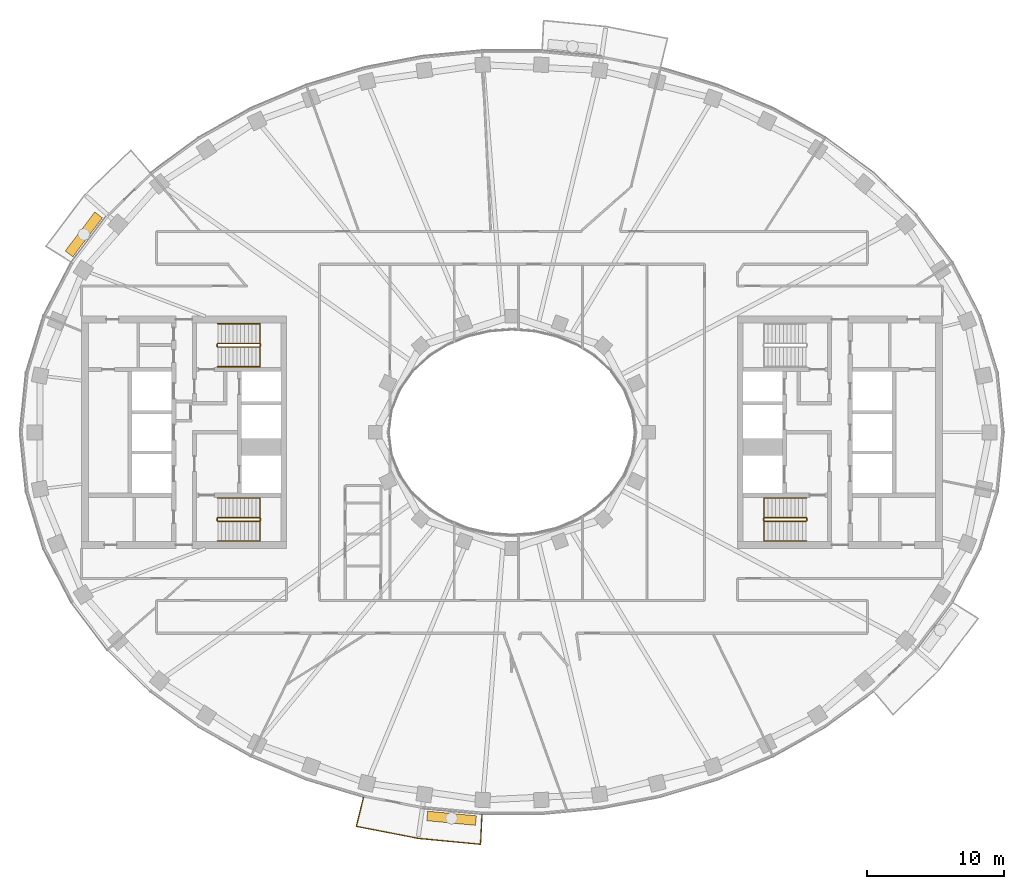
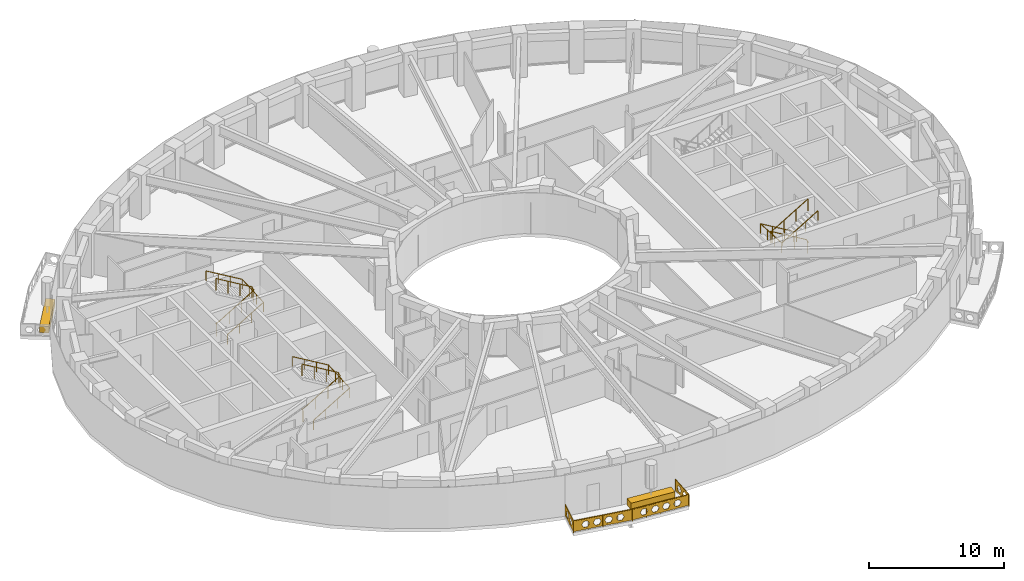
# One storey, part 14 of 16: 7 railings, 2 coverings.
"""IFC4 building model written with IfcOpenShell, lengths in metres."""

from ifc_helpers import new_model, si_unit, direction, frame, origin, origin_2d, place, context, subcontext, project, spatial, polyline, rectangle, outline, extrude, material, type_object, element, save


model = new_model("IFC4")

# Units and contexts
model_context = context("Model", 3, precision=1e-05, world=origin(), true_north=direction((0.0, 1.0)))
body_context = subcontext(model_context, "Body", "Model", "MODEL_VIEW")
ifc_project = project(units=[si_unit("LENGTHUNIT", "METRE"), si_unit("AREAUNIT", "SQUARE_METRE"), si_unit("VOLUMEUNIT", "CUBIC_METRE"), si_unit("PLANEANGLEUNIT", "RADIAN"), si_unit("MASSUNIT", "GRAM", prefix="KILO")], contexts=[model_context])

# Site, building, storey
site_placement = place(None, origin())
site = spatial("IfcSite", under=ifc_project, at=site_placement, CompositionType="ELEMENT")
building_placement = place(site_placement, origin())
building = spatial("IfcBuilding", under=site, at=building_placement, Name="Noorbagh Ring Tower", CompositionType="ELEMENT")
storey_placement = place(building_placement, frame((0.0, 0.0, 249.5)))
storey = spatial("IfcBuildingStorey", under=building, at=storey_placement, Name="L52", CompositionType="ELEMENT", Elevation=249.5)

# Railings
ifc_material_1 = material(Name="Stainless steel", Category="steel")
railing_type_1 = type_object("IfcRailingType", Name="CORE-STAIR-GUARD", PredefinedType="GUARDRAIL", material=ifc_material_1)
railing_1_placement = place(storey_placement, frame((-21.580078125, 6.300048828125, 0.0)))
element("IfcRailing", 1, at=railing_1_placement, inside=storey, type_object=railing_type_1, Name="L52 ST1 stair guard", PredefinedType="GUARDRAIL", context=body_context, shape_type="SweptSolid", body=[
    extrude(rectangle(XDim=0.048095703125, YDim=0.048095703125, at=origin_2d()), frame((0.0, 0.0, 1.076171875), z_axis=(0.0, 1.0, 0.0), x_axis=(-1.0, 0.0, 0.0)), (0.0, 0.0, 1.0), 0.14990234375),
    extrude(rectangle(XDim=0.048095703125, YDim=0.048095703125, at=origin_2d()), frame((0.0, 0.14990234375, 1.076171875), z_axis=(0.188775798145, -0.754182335027, 0.628945707965), x_axis=(0.970072785993, 0.242814311512, 0.0)), (0.0, 0.0, 1.0), 0.26513671875),
    extrude(rectangle(XDim=0.048095703125, YDim=0.048095703125, at=origin_2d()), frame((0.050048828125, -0.050048828125, 1.24267578125), z_axis=(0.859308565015, 0.0, 0.511457515432), x_axis=(0.0, 1.0, 0.0)), (0.0, 0.0, 1.0), 3.58447265625),
    extrude(rectangle(XDim=0.048095703125, YDim=0.048095703125, at=origin_2d()), frame((3.130126953125, -0.050048828125, 3.076171875), z_axis=(0.707106781187, 0.707106781187, 0.0), x_axis=(-0.707106781187, 0.707106781187, 0.0)), (0.0, 0.0, 1.0), 0.07080078125),
    extrude(rectangle(XDim=0.048095703125, YDim=0.048095703125, at=origin_2d()), frame((3.18017578125, 0.0, 3.076171875), z_axis=(0.0, 1.0, 0.0), x_axis=(-1.0, 0.0, 0.0)), (0.0, 0.0, 1.0), 0.14990234375),
    extrude(rectangle(XDim=0.048095703125, YDim=0.048095703125, at=origin_2d()), frame((3.18017578125, 0.14990234375, 3.076171875), z_axis=(-0.27628659633, 0.27628659633, 0.920506074601), x_axis=(-0.707106781187, -0.707106781187, 0.0)), (0.0, 0.0, 1.0), 0.18115234375),
    extrude(rectangle(XDim=0.048095703125, YDim=0.048095703125, at=origin_2d()), frame((3.130126953125, 0.199951171875, 3.24267578125), z_axis=(-0.859308565015, 0.0, 0.511457515432), x_axis=(0.0, -1.0, 0.0)), (0.0, 0.0, 1.0), 3.58447265625),
    extrude(rectangle(XDim=0.0419921875, YDim=0.0419921875, at=origin_2d()), origin(), (0.0, 0.0, 1.0), 1.052001953125),
    extrude(rectangle(XDim=0.0419921875, YDim=0.0419921875, at=origin_2d()), frame((1.07666015625, -0.050048828125, 0.77783203125)), (0.0, 0.0, 1.0), 1.052001953125),
    extrude(rectangle(XDim=0.0419921875, YDim=0.0419921875, at=origin_2d()), frame((2.103515625, -0.050048828125, 1.388916015625)), (0.0, 0.0, 1.0), 1.052001953125),
    extrude(rectangle(XDim=0.0419921875, YDim=0.0419921875, at=origin_2d()), frame((3.130126953125, -0.050048828125, 2.0)), (0.0, 0.0, 1.0), 1.052001953125),
    extrude(rectangle(XDim=0.0419921875, YDim=0.0419921875, at=origin_2d()), frame((3.130126953125, 0.199951171875, 2.166748046875)), (0.0, 0.0, 1.0), 1.052001953125),
    extrude(rectangle(XDim=0.0419921875, YDim=0.0419921875, at=origin_2d()), frame((2.103515625, 0.199951171875, 2.77783203125)), (0.0, 0.0, 1.0), 1.052001953125),
    extrude(rectangle(XDim=0.0419921875, YDim=0.0419921875, at=origin_2d()), frame((1.07666015625, 0.199951171875, 3.388916015625)), (0.0, 0.0, 1.0), 1.052001953125),
    extrude(rectangle(XDim=0.0419921875, YDim=0.0419921875, at=origin_2d()), frame((0.050048828125, 0.199951171875, 4.0)), (0.0, 0.0, 1.0), 1.052001953125),
])
railing_2_placement = place(storey_placement, frame((-21.580078125, -6.449951171875, 0.0)))
element("IfcRailing", 2, at=railing_2_placement, inside=storey, type_object=railing_type_1, Name="L52 ST2 stair guard", PredefinedType="GUARDRAIL", context=body_context, shape_type="SweptSolid", body=[
    extrude(rectangle(XDim=0.048095703125, YDim=0.048095703125, at=origin_2d()), frame((0.0, 0.0, 1.076171875), z_axis=(0.0, 1.0, 0.0), x_axis=(-1.0, 0.0, 0.0)), (0.0, 0.0, 1.0), 0.14990234375),
    extrude(rectangle(XDim=0.048095703125, YDim=0.048095703125, at=origin_2d()), frame((0.0, 0.14990234375, 1.076171875), z_axis=(0.188775798145, -0.754182335027, 0.628945707965), x_axis=(0.970072785993, 0.242814311512, 0.0)), (0.0, 0.0, 1.0), 0.26513671875),
    extrude(rectangle(XDim=0.048095703125, YDim=0.048095703125, at=origin_2d()), frame((0.050048828125, -0.050048828125, 1.24267578125), z_axis=(0.859308565015, 0.0, 0.511457515432), x_axis=(0.0, 1.0, 0.0)), (0.0, 0.0, 1.0), 3.58447265625),
    extrude(rectangle(XDim=0.048095703125, YDim=0.048095703125, at=origin_2d()), frame((3.130126953125, -0.050048828125, 3.076171875), z_axis=(0.707106781187, 0.707106781187, 0.0), x_axis=(-0.707106781187, 0.707106781187, 0.0)), (0.0, 0.0, 1.0), 0.07080078125),
    extrude(rectangle(XDim=0.048095703125, YDim=0.048095703125, at=origin_2d()), frame((3.18017578125, 0.0, 3.076171875), z_axis=(0.0, 1.0, 0.0), x_axis=(-1.0, 0.0, 0.0)), (0.0, 0.0, 1.0), 0.14990234375),
    extrude(rectangle(XDim=0.048095703125, YDim=0.048095703125, at=origin_2d()), frame((3.18017578125, 0.14990234375, 3.076171875), z_axis=(-0.27628659633, 0.27628659633, 0.920506074601), x_axis=(-0.707106781187, -0.707106781187, 0.0)), (0.0, 0.0, 1.0), 0.18115234375),
    extrude(rectangle(XDim=0.048095703125, YDim=0.048095703125, at=origin_2d()), frame((3.130126953125, 0.199951171875, 3.24267578125), z_axis=(-0.859308565015, 0.0, 0.511457515432), x_axis=(0.0, -1.0, 0.0)), (0.0, 0.0, 1.0), 3.58447265625),
    extrude(rectangle(XDim=0.0419921875, YDim=0.0419921875, at=origin_2d()), origin(), (0.0, 0.0, 1.0), 1.052001953125),
    extrude(rectangle(XDim=0.0419921875, YDim=0.0419921875, at=origin_2d()), frame((1.07666015625, -0.050048828125, 0.77783203125)), (0.0, 0.0, 1.0), 1.052001953125),
    extrude(rectangle(XDim=0.0419921875, YDim=0.0419921875, at=origin_2d()), frame((2.103515625, -0.050048828125, 1.388916015625)), (0.0, 0.0, 1.0), 1.052001953125),
    extrude(rectangle(XDim=0.0419921875, YDim=0.0419921875, at=origin_2d()), frame((3.130126953125, -0.050048828125, 2.0)), (0.0, 0.0, 1.0), 1.052001953125),
    extrude(rectangle(XDim=0.0419921875, YDim=0.0419921875, at=origin_2d()), frame((3.130126953125, 0.199951171875, 2.166748046875)), (0.0, 0.0, 1.0), 1.052001953125),
    extrude(rectangle(XDim=0.0419921875, YDim=0.0419921875, at=origin_2d()), frame((2.103515625, 0.199951171875, 2.77783203125)), (0.0, 0.0, 1.0), 1.052001953125),
    extrude(rectangle(XDim=0.0419921875, YDim=0.0419921875, at=origin_2d()), frame((1.07666015625, 0.199951171875, 3.388916015625)), (0.0, 0.0, 1.0), 1.052001953125),
    extrude(rectangle(XDim=0.0419921875, YDim=0.0419921875, at=origin_2d()), frame((0.050048828125, 0.199951171875, 4.0)), (0.0, 0.0, 1.0), 1.052001953125),
])
railing_3_placement = place(storey_placement, frame((21.580078125, -6.300048828125, 0.0)))
element("IfcRailing", 3, at=railing_3_placement, inside=storey, type_object=railing_type_1, Name="L52 ST4 stair guard", PredefinedType="GUARDRAIL", context=body_context, shape_type="SweptSolid", body=[
    extrude(rectangle(XDim=0.048095703125, YDim=0.048095703125, at=origin_2d()), frame((0.0, 0.0, 1.076171875), z_axis=(0.0, -1.0, 0.0), x_axis=(1.0, 0.0, 0.0)), (0.0, 0.0, 1.0), 0.14990234375),
    extrude(rectangle(XDim=0.048095703125, YDim=0.048095703125, at=origin_2d()), frame((0.0, -0.14990234375, 1.076171875), z_axis=(-0.188775798145, 0.754182335027, 0.628945707965), x_axis=(-0.970072785993, -0.242814311512, 0.0)), (0.0, 0.0, 1.0), 0.26513671875),
    extrude(rectangle(XDim=0.048095703125, YDim=0.048095703125, at=origin_2d()), frame((-0.050048828125, 0.050048828125, 1.24267578125), z_axis=(-0.859308565015, 0.0, 0.511457515432), x_axis=(0.0, -1.0, 0.0)), (0.0, 0.0, 1.0), 3.58447265625),
    extrude(rectangle(XDim=0.048095703125, YDim=0.048095703125, at=origin_2d()), frame((-3.130126953125, 0.050048828125, 3.076171875), z_axis=(-0.707106781187, -0.707106781187, 0.0), x_axis=(0.707106781187, -0.707106781187, 0.0)), (0.0, 0.0, 1.0), 0.07080078125),
    extrude(rectangle(XDim=0.048095703125, YDim=0.048095703125, at=origin_2d()), frame((-3.18017578125, 0.0, 3.076171875), z_axis=(0.0, -1.0, 0.0), x_axis=(1.0, 0.0, 0.0)), (0.0, 0.0, 1.0), 0.14990234375),
    extrude(rectangle(XDim=0.048095703125, YDim=0.048095703125, at=origin_2d()), frame((-3.18017578125, -0.14990234375, 3.076171875), z_axis=(0.27628659633, -0.27628659633, 0.920506074601), x_axis=(0.707106781187, 0.707106781187, 0.0)), (0.0, 0.0, 1.0), 0.18115234375),
    extrude(rectangle(XDim=0.048095703125, YDim=0.048095703125, at=origin_2d()), frame((-3.130126953125, -0.199951171875, 3.24267578125), z_axis=(0.859308565015, 0.0, 0.511457515432), x_axis=(0.0, 1.0, 0.0)), (0.0, 0.0, 1.0), 3.58447265625),
    extrude(rectangle(XDim=0.0419921875, YDim=0.0419921875, at=origin_2d()), origin(), (0.0, 0.0, 1.0), 1.052001953125),
    extrude(rectangle(XDim=0.0419921875, YDim=0.0419921875, at=origin_2d()), frame((-1.07666015625, 0.050048828125, 0.77783203125)), (0.0, 0.0, 1.0), 1.052001953125),
    extrude(rectangle(XDim=0.0419921875, YDim=0.0419921875, at=origin_2d()), frame((-2.103515625, 0.050048828125, 1.388916015625)), (0.0, 0.0, 1.0), 1.052001953125),
    extrude(rectangle(XDim=0.0419921875, YDim=0.0419921875, at=origin_2d()), frame((-3.130126953125, 0.050048828125, 2.0)), (0.0, 0.0, 1.0), 1.052001953125),
    extrude(rectangle(XDim=0.0419921875, YDim=0.0419921875, at=origin_2d()), frame((-3.130126953125, -0.199951171875, 2.166748046875)), (0.0, 0.0, 1.0), 1.052001953125),
    extrude(rectangle(XDim=0.0419921875, YDim=0.0419921875, at=origin_2d()), frame((-2.103515625, -0.199951171875, 2.77783203125)), (0.0, 0.0, 1.0), 1.052001953125),
    extrude(rectangle(XDim=0.0419921875, YDim=0.0419921875, at=origin_2d()), frame((-1.07666015625, -0.199951171875, 3.388916015625)), (0.0, 0.0, 1.0), 1.052001953125),
    extrude(rectangle(XDim=0.0419921875, YDim=0.0419921875, at=origin_2d()), frame((-0.050048828125, -0.199951171875, 4.0)), (0.0, 0.0, 1.0), 1.052001953125),
])
ifc_material_2 = material(Name="Stainless steel", Category="steel")
railing_type_2 = type_object("IfcRailingType", Name="CORE-STAIR-HANDRAIL", PredefinedType="HANDRAIL", material=ifc_material_2)
railing_4_placement = place(storey_placement, frame((-21.530029296875, 4.800048828125, 0.166748046875)))
element("IfcRailing", 4, at=railing_4_placement, inside=storey, type_object=railing_type_2, Name="L52 ST1 stair handrail", PredefinedType="HANDRAIL", context=body_context, shape_type="SweptSolid", body=[
    extrude(rectangle(XDim=0.048095703125, YDim=0.048095703125, at=origin_2d()), frame((0.0, 0.0, 0.8759765625), z_axis=(0.859308565015, 0.0, 0.511457515432), x_axis=(0.0, 1.0, 0.0)), (0.0, 0.0, 1.0), 3.58447265625),
    extrude(rectangle(XDim=0.048095703125, YDim=0.048095703125, at=origin_2d()), frame((3.080078125, 0.0, 2.708984375), z_axis=(0.0, 0.998601747152, 0.052863509014), x_axis=(-1.0, 0.0, 0.0)), (0.0, 0.0, 1.0), 3.154296875),
    extrude(rectangle(XDim=0.048095703125, YDim=0.048095703125, at=origin_2d()), frame((3.080078125, 3.14990234375, 2.8759765625), z_axis=(-0.859308565015, 0.0, 0.511457515432), x_axis=(0.0, -1.0, 0.0)), (0.0, 0.0, 1.0), 3.58447265625),
    extrude(rectangle(XDim=0.0419921875, YDim=0.0419921875, at=origin_2d()), origin(), (0.0, 0.0, 1.0), 0.851806640625),
    extrude(rectangle(XDim=0.0419921875, YDim=0.0419921875, at=origin_2d()), frame((1.026611328125, 0.0, 0.611083984375)), (0.0, 0.0, 1.0), 0.851806640625),
    extrude(rectangle(XDim=0.0419921875, YDim=0.0419921875, at=origin_2d()), frame((2.053466796875, 0.0, 1.22216796875)), (0.0, 0.0, 1.0), 0.851806640625),
    extrude(rectangle(XDim=0.0419921875, YDim=0.0419921875, at=origin_2d()), frame((3.080078125, 0.0, 1.833251953125)), (0.0, 0.0, 1.0), 0.851806640625),
    extrude(rectangle(XDim=0.0419921875, YDim=0.0419921875, at=origin_2d()), frame((3.080078125, 1.050048828125, 1.888916015625)), (0.0, 0.0, 1.0), 0.851806640625),
    extrude(rectangle(XDim=0.0419921875, YDim=0.0419921875, at=origin_2d()), frame((3.080078125, 2.099853515625, 1.9443359375)), (0.0, 0.0, 1.0), 0.851806640625),
    extrude(rectangle(XDim=0.0419921875, YDim=0.0419921875, at=origin_2d()), frame((3.080078125, 3.14990234375, 2.0)), (0.0, 0.0, 1.0), 0.851806640625),
    extrude(rectangle(XDim=0.0419921875, YDim=0.0419921875, at=origin_2d()), frame((2.053466796875, 3.14990234375, 2.611083984375)), (0.0, 0.0, 1.0), 0.851806640625),
    extrude(rectangle(XDim=0.0419921875, YDim=0.0419921875, at=origin_2d()), frame((1.026611328125, 3.14990234375, 3.22216796875)), (0.0, 0.0, 1.0), 0.851806640625),
    extrude(rectangle(XDim=0.0419921875, YDim=0.0419921875, at=origin_2d()), frame((0.0, 3.14990234375, 3.833251953125)), (0.0, 0.0, 1.0), 0.851806640625),
])
railing_5_placement = place(storey_placement, frame((-21.530029296875, -7.949951171875, 0.166748046875)))
element("IfcRailing", 5, at=railing_5_placement, inside=storey, type_object=railing_type_2, Name="L52 ST2 stair handrail", PredefinedType="HANDRAIL", context=body_context, shape_type="SweptSolid", body=[
    extrude(rectangle(XDim=0.048095703125, YDim=0.048095703125, at=origin_2d()), frame((0.0, 0.0, 0.8759765625), z_axis=(0.859308565015, 0.0, 0.511457515432), x_axis=(0.0, 1.0, 0.0)), (0.0, 0.0, 1.0), 3.58447265625),
    extrude(rectangle(XDim=0.048095703125, YDim=0.048095703125, at=origin_2d()), frame((3.080078125, 0.0, 2.708984375), z_axis=(0.0, 0.998601747152, 0.052863509014), x_axis=(-1.0, 0.0, 0.0)), (0.0, 0.0, 1.0), 3.154296875),
    extrude(rectangle(XDim=0.048095703125, YDim=0.048095703125, at=origin_2d()), frame((3.080078125, 3.14990234375, 2.8759765625), z_axis=(-0.859308565015, 0.0, 0.511457515432), x_axis=(0.0, -1.0, 0.0)), (0.0, 0.0, 1.0), 3.58447265625),
    extrude(rectangle(XDim=0.0419921875, YDim=0.0419921875, at=origin_2d()), origin(), (0.0, 0.0, 1.0), 0.851806640625),
    extrude(rectangle(XDim=0.0419921875, YDim=0.0419921875, at=origin_2d()), frame((1.026611328125, 0.0, 0.611083984375)), (0.0, 0.0, 1.0), 0.851806640625),
    extrude(rectangle(XDim=0.0419921875, YDim=0.0419921875, at=origin_2d()), frame((2.053466796875, 0.0, 1.22216796875)), (0.0, 0.0, 1.0), 0.851806640625),
    extrude(rectangle(XDim=0.0419921875, YDim=0.0419921875, at=origin_2d()), frame((3.080078125, 0.0, 1.833251953125)), (0.0, 0.0, 1.0), 0.851806640625),
    extrude(rectangle(XDim=0.0419921875, YDim=0.0419921875, at=origin_2d()), frame((3.080078125, 1.050048828125, 1.888916015625)), (0.0, 0.0, 1.0), 0.851806640625),
    extrude(rectangle(XDim=0.0419921875, YDim=0.0419921875, at=origin_2d()), frame((3.080078125, 2.099853515625, 1.9443359375)), (0.0, 0.0, 1.0), 0.851806640625),
    extrude(rectangle(XDim=0.0419921875, YDim=0.0419921875, at=origin_2d()), frame((3.080078125, 3.14990234375, 2.0)), (0.0, 0.0, 1.0), 0.851806640625),
    extrude(rectangle(XDim=0.0419921875, YDim=0.0419921875, at=origin_2d()), frame((2.053466796875, 3.14990234375, 2.611083984375)), (0.0, 0.0, 1.0), 0.851806640625),
    extrude(rectangle(XDim=0.0419921875, YDim=0.0419921875, at=origin_2d()), frame((1.026611328125, 3.14990234375, 3.22216796875)), (0.0, 0.0, 1.0), 0.851806640625),
    extrude(rectangle(XDim=0.0419921875, YDim=0.0419921875, at=origin_2d()), frame((0.0, 3.14990234375, 3.833251953125)), (0.0, 0.0, 1.0), 0.851806640625),
])
railing_6_placement = place(storey_placement, frame((21.530029296875, -4.800048828125, 0.166748046875)))
element("IfcRailing", 6, at=railing_6_placement, inside=storey, type_object=railing_type_2, Name="L52 ST4 stair handrail", PredefinedType="HANDRAIL", context=body_context, shape_type="SweptSolid", body=[
    extrude(rectangle(XDim=0.048095703125, YDim=0.048095703125, at=origin_2d()), frame((0.0, 0.0, 0.8759765625), z_axis=(-0.859308565015, 0.0, 0.511457515432), x_axis=(0.0, -1.0, 0.0)), (0.0, 0.0, 1.0), 3.58447265625),
    extrude(rectangle(XDim=0.048095703125, YDim=0.048095703125, at=origin_2d()), frame((-3.080078125, 0.0, 2.708984375), z_axis=(0.0, -0.998601747152, 0.052863509014), x_axis=(1.0, 0.0, 0.0)), (0.0, 0.0, 1.0), 3.154296875),
    extrude(rectangle(XDim=0.048095703125, YDim=0.048095703125, at=origin_2d()), frame((-3.080078125, -3.14990234375, 2.8759765625), z_axis=(0.859308565015, 0.0, 0.511457515432), x_axis=(0.0, 1.0, 0.0)), (0.0, 0.0, 1.0), 3.58447265625),
    extrude(rectangle(XDim=0.0419921875, YDim=0.0419921875, at=origin_2d()), origin(), (0.0, 0.0, 1.0), 0.851806640625),
    extrude(rectangle(XDim=0.0419921875, YDim=0.0419921875, at=origin_2d()), frame((-1.026611328125, 0.0, 0.611083984375)), (0.0, 0.0, 1.0), 0.851806640625),
    extrude(rectangle(XDim=0.0419921875, YDim=0.0419921875, at=origin_2d()), frame((-2.053466796875, 0.0, 1.22216796875)), (0.0, 0.0, 1.0), 0.851806640625),
    extrude(rectangle(XDim=0.0419921875, YDim=0.0419921875, at=origin_2d()), frame((-3.080078125, 0.0, 1.833251953125)), (0.0, 0.0, 1.0), 0.851806640625),
    extrude(rectangle(XDim=0.0419921875, YDim=0.0419921875, at=origin_2d()), frame((-3.080078125, -1.050048828125, 1.888916015625)), (0.0, 0.0, 1.0), 0.851806640625),
    extrude(rectangle(XDim=0.0419921875, YDim=0.0419921875, at=origin_2d()), frame((-3.080078125, -2.099853515625, 1.9443359375)), (0.0, 0.0, 1.0), 0.851806640625),
    extrude(rectangle(XDim=0.0419921875, YDim=0.0419921875, at=origin_2d()), frame((-3.080078125, -3.14990234375, 2.0)), (0.0, 0.0, 1.0), 0.851806640625),
    extrude(rectangle(XDim=0.0419921875, YDim=0.0419921875, at=origin_2d()), frame((-2.053466796875, -3.14990234375, 2.611083984375)), (0.0, 0.0, 1.0), 0.851806640625),
    extrude(rectangle(XDim=0.0419921875, YDim=0.0419921875, at=origin_2d()), frame((-1.026611328125, -3.14990234375, 3.22216796875)), (0.0, 0.0, 1.0), 0.851806640625),
    extrude(rectangle(XDim=0.0419921875, YDim=0.0419921875, at=origin_2d()), frame((0.0, -3.14990234375, 3.833251953125)), (0.0, 0.0, 1.0), 0.851806640625),
])
ifc_material_3 = material(Name="Steel S275 black powder-coated", Category="steel")
railing_type_3 = type_object("IfcRailingType", Name="ENV-GUARD", PredefinedType="GUARDRAIL", material=ifc_material_3)
railing_7_placement = place(storey_placement, frame((-10.865234375, -26.6943359375, 0.0)))
element("IfcRailing", 7, at=railing_7_placement, inside=storey, type_object=railing_type_3, Name="Balcony guard BS03", PredefinedType="GUARDRAIL", context=body_context, shape_type="SweptSolid", body=[
    extrude(rectangle(XDim=0.048095703125, YDim=0.048095703125, at=origin_2d()), frame((0.0, 0.0, 1.076171875), z_axis=(-0.239848558412, -0.970810315679, 0.0), x_axis=(0.970810315679, -0.239848558412, 0.0)), (0.0, 0.0, 1.0), 2.20263671875),
    extrude(rectangle(XDim=0.048095703125, YDim=0.048095703125, at=origin_2d()), frame((-0.5283203125, -2.138427734375, 1.076171875), z_axis=(0.981625049064, -0.1908199755, 0.0), x_axis=(0.1908199755, 0.981625049064, 0.0)), (0.0, 0.0, 1.0), 4.603271484375),
    extrude(rectangle(XDim=0.048095703125, YDim=0.048095703125, at=origin_2d()), frame((3.990478515625, -3.016845703125, 1.076171875), z_axis=(0.995477555764, -0.094997031379, 0.0), x_axis=(0.094997031379, 0.995477555764, 0.0)), (0.0, 0.0, 1.0), 4.59765625),
    extrude(rectangle(XDim=0.048095703125, YDim=0.048095703125, at=origin_2d()), frame((8.5673828125, -3.45361328125, 1.076171875), z_axis=(0.047554616162, 0.998868639252, 0.0), x_axis=(-0.998868639252, 0.047554616162, 0.0)), (0.0, 0.0, 1.0), 2.202392578125),
    extrude(rectangle(XDim=0.0419921875, YDim=0.0419921875, at=origin_2d()), origin(), (0.0, 0.0, 1.0), 1.052001953125),
    extrude(rectangle(XDim=0.0419921875, YDim=0.0419921875, at=origin_2d()), frame((-0.26416015625, -1.0693359375, 0.0)), (0.0, 0.0, 1.0), 1.052001953125),
    extrude(rectangle(XDim=0.0419921875, YDim=0.0419921875, at=origin_2d()), frame((-0.5283203125, -2.138427734375, 0.0)), (0.0, 0.0, 1.0), 1.052001953125),
    extrude(rectangle(XDim=0.0419921875, YDim=0.0419921875, at=origin_2d()), frame((0.601318359375, -2.35791015625, 0.0)), (0.0, 0.0, 1.0), 1.052001953125),
    extrude(rectangle(XDim=0.0419921875, YDim=0.0419921875, at=origin_2d()), frame((1.73095703125, -2.57763671875, 0.0)), (0.0, 0.0, 1.0), 1.052001953125),
    extrude(rectangle(XDim=0.0419921875, YDim=0.0419921875, at=origin_2d()), frame((2.86083984375, -2.79736328125, 0.0)), (0.0, 0.0, 1.0), 1.052001953125),
    extrude(rectangle(XDim=0.0419921875, YDim=0.0419921875, at=origin_2d()), frame((3.990478515625, -3.016845703125, 0.0)), (0.0, 0.0, 1.0), 1.052001953125),
    extrude(rectangle(XDim=0.0419921875, YDim=0.0419921875, at=origin_2d()), frame((5.134765625, -3.1259765625, 0.0)), (0.0, 0.0, 1.0), 1.052001953125),
    extrude(rectangle(XDim=0.0419921875, YDim=0.0419921875, at=origin_2d()), frame((6.27880859375, -3.2353515625, 0.0)), (0.0, 0.0, 1.0), 1.052001953125),
    extrude(rectangle(XDim=0.0419921875, YDim=0.0419921875, at=origin_2d()), frame((7.423095703125, -3.344482421875, 0.0)), (0.0, 0.0, 1.0), 1.052001953125),
    extrude(rectangle(XDim=0.0419921875, YDim=0.0419921875, at=origin_2d()), frame((8.5673828125, -3.45361328125, 0.0)), (0.0, 0.0, 1.0), 1.052001953125),
    extrude(rectangle(XDim=0.0419921875, YDim=0.0419921875, at=origin_2d()), frame((8.61962890625, -2.353515625, 0.0)), (0.0, 0.0, 1.0), 1.052001953125),
    extrude(rectangle(XDim=0.0419921875, YDim=0.0419921875, at=origin_2d()), frame((8.672119140625, -1.253662109375, 0.0)), (0.0, 0.0, 1.0), 1.052001953125),
    extrude(outline(polyline([(0.0, 0.10009765625), (2.20263671875, 0.10009765625), (2.20263671875, 1.031982421875), (0.0, 1.031982421875), (0.0, 0.10009765625)]), holes=[polyline([(0.96142578125, 0.56591796875), (0.806396484375, 0.83447265625), (0.496337890625, 0.83447265625), (0.34130859375, 0.56591796875), (0.496337890625, 0.297607421875), (0.806396484375, 0.297607421875), (0.96142578125, 0.56591796875)]), polyline([(1.861328125, 0.56591796875), (1.706298828125, 0.83447265625), (1.396240234375, 0.83447265625), (1.241455078125, 0.56591796875), (1.396240234375, 0.297607421875), (1.706298828125, 0.297607421875), (1.861328125, 0.56591796875)])]), frame((0.009765625, -0.00244140625, 0.0), z_axis=(-0.970810315679, 0.239848558412, 0.0), x_axis=(-0.239848558412, -0.970810315679, 0.0)), (0.0, 0.0, 1.0), 0.02001953125),
    extrude(outline(polyline([(0.0, 0.10009765625), (4.603271484375, 0.10009765625), (4.603271484375, 1.031982421875), (0.0, 1.031982421875), (0.0, 0.10009765625)]), holes=[polyline([(1.26171875, 0.56591796875), (1.106689453125, 0.83447265625), (0.796630859375, 0.83447265625), (0.6416015625, 0.56591796875), (0.796630859375, 0.297607421875), (1.106689453125, 0.297607421875), (1.26171875, 0.56591796875)]), polyline([(2.16162109375, 0.56591796875), (2.006591796875, 0.83447265625), (1.69677734375, 0.83447265625), (1.541748046875, 0.56591796875), (1.69677734375, 0.297607421875), (2.006591796875, 0.297607421875), (2.16162109375, 0.56591796875)]), polyline([(3.061767578125, 0.56591796875), (2.90673828125, 0.83447265625), (2.5966796875, 0.83447265625), (2.441650390625, 0.56591796875), (2.5966796875, 0.297607421875), (2.90673828125, 0.297607421875), (3.061767578125, 0.56591796875)]), polyline([(3.961669921875, 0.56591796875), (3.806640625, 0.83447265625), (3.49658203125, 0.83447265625), (3.341796875, 0.56591796875), (3.49658203125, 0.297607421875), (3.806640625, 0.297607421875), (3.961669921875, 0.56591796875)])]), frame((-0.5263671875, -2.128662109375, 0.0), z_axis=(-0.1908199755, -0.981625049064, 0.0), x_axis=(0.981625049064, -0.1908199755, 0.0)), (0.0, 0.0, 1.0), 0.02001953125),
    extrude(outline(polyline([(0.0, 0.10009765625), (4.59765625, 0.10009765625), (4.59765625, 1.031982421875), (0.0, 1.031982421875), (0.0, 0.10009765625)]), holes=[polyline([(1.2587890625, 0.56591796875), (1.103759765625, 0.83447265625), (0.7939453125, 0.83447265625), (0.638916015625, 0.56591796875), (0.7939453125, 0.297607421875), (1.103759765625, 0.297607421875), (1.2587890625, 0.56591796875)]), polyline([(2.158935546875, 0.56591796875), (2.00390625, 0.83447265625), (1.69384765625, 0.83447265625), (1.538818359375, 0.56591796875), (1.69384765625, 0.297607421875), (2.00390625, 0.297607421875), (2.158935546875, 0.56591796875)]), polyline([(3.058837890625, 0.56591796875), (2.90380859375, 0.83447265625), (2.59375, 0.83447265625), (2.43896484375, 0.56591796875), (2.59375, 0.297607421875), (2.90380859375, 0.297607421875), (3.058837890625, 0.56591796875)]), polyline([(3.958740234375, 0.56591796875), (3.803955078125, 0.83447265625), (3.493896484375, 0.83447265625), (3.3388671875, 0.56591796875), (3.493896484375, 0.297607421875), (3.803955078125, 0.297607421875), (3.958740234375, 0.56591796875)])]), frame((3.991455078125, -3.0068359375, 0.0), z_axis=(-0.094997031379, -0.995477555764, 0.0), x_axis=(0.995477555764, -0.094997031379, 0.0)), (0.0, 0.0, 1.0), 0.02001953125),
    extrude(outline(polyline([(0.0, 0.10009765625), (2.202392578125, 0.10009765625), (2.202392578125, 1.031982421875), (0.0, 1.031982421875), (0.0, 0.10009765625)]), holes=[polyline([(0.961181640625, 0.56591796875), (0.80615234375, 0.83447265625), (0.496337890625, 0.83447265625), (0.34130859375, 0.56591796875), (0.496337890625, 0.297607421875), (0.80615234375, 0.297607421875), (0.961181640625, 0.56591796875)]), polyline([(1.861328125, 0.56591796875), (1.706298828125, 0.83447265625), (1.396240234375, 0.83447265625), (1.2412109375, 0.56591796875), (1.396240234375, 0.297607421875), (1.706298828125, 0.297607421875), (1.861328125, 0.56591796875)])]), frame((8.557373046875, -3.453125, 0.0), z_axis=(0.998868639252, -0.047554616162, 0.0), x_axis=(0.047554616162, 0.998868639252, 0.0)), (0.0, 0.0, 1.0), 0.02001953125),
])

# Coverings
ifc_material_4 = material(Name="Concrete C30/37 planter with soil", Category="concrete")
covering_type = type_object("IfcCoveringType", Name="ENV-PLANTER", PredefinedType="CLADDING", material=ifc_material_4)
covering_1_placement = place(storey_placement, frame((-31.329833984375, 14.4833984375, 0.0), z_axis=(0.0, 0.0, 1.0), x_axis=(-0.604020184358, -0.796969018776, 0.0)))
element("IfcCovering", 8, at=covering_1_placement, inside=storey, type_object=covering_type, Name="PLANTER BN06", ObjectType="PLANTER", PredefinedType="CLADDING", context=body_context, shape_type="SweptSolid", body=[
    extrude(rectangle(XDim=3.583251953125, YDim=0.699951171875, at=origin_2d()), origin(), (0.0, 0.0, 1.0), 0.60009765625),
])
covering_2_placement = place(storey_placement, frame((-4.423828125, -28.2373046875, 0.0), z_axis=(0.0, 0.0, 1.0), x_axis=(0.995476497323, -0.095008122171, 0.0)))
element("IfcCovering", 9, at=covering_2_placement, inside=storey, type_object=covering_type, Name="PLANTER BS03", ObjectType="PLANTER", PredefinedType="CLADDING", context=body_context, shape_type="SweptSolid", body=[
    extrude(rectangle(XDim=3.58642578125, YDim=0.699951171875, at=origin_2d()), origin(), (0.0, 0.0, 1.0), 0.60009765625),
])

save(model, "model.ifc")
